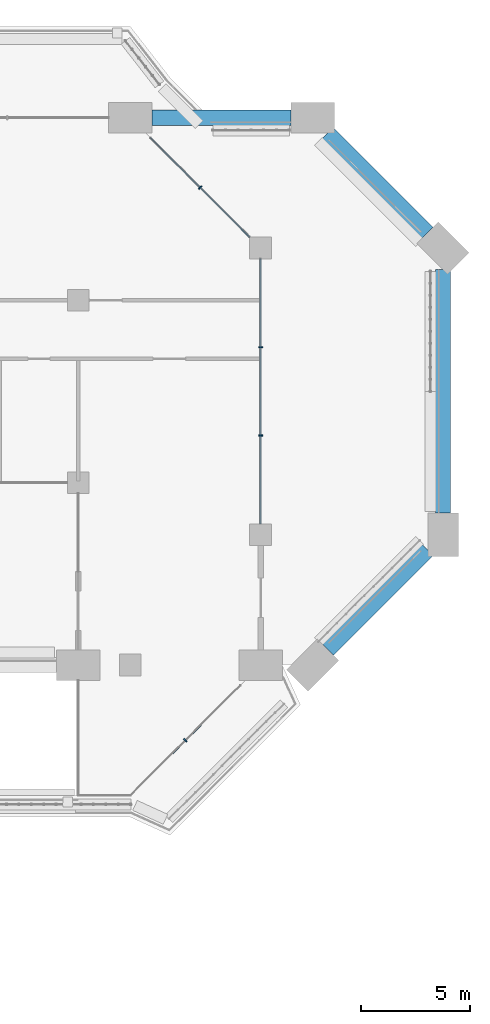
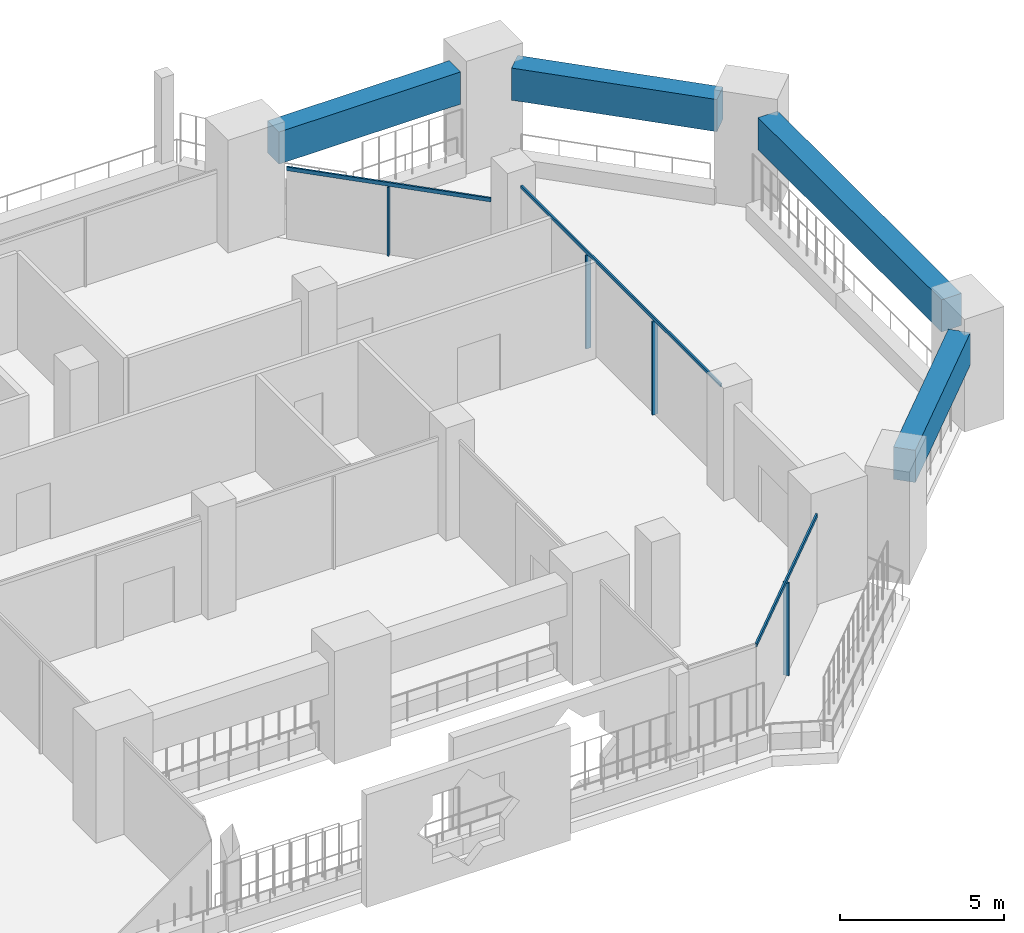
# One storey, part 8 of 23: 7 members, 4 beams, 3 elements without a shape of their own.
"""IFC4 building model written with IfcOpenShell, lengths in metres."""

import ifcopenshell
import ifcopenshell.guid

model = None  # the IFC model being written
_history = None  # IfcOwnerHistory: only IFC2X3 demands one
_inside = {}  # id of a spatial element -> (the spatial element, [elements in it])
_under = {}  # id of a project, library or spatial element -> (it, [spatial elements below it])
_declared = {}  # id of a project -> (the project, [libraries it declares])
_typed = {}  # id of a type object -> (the type object, [elements of that type])
_made_of = {}  # id of a material, layer set ... -> (it, [elements and type objects made of it])


def new_model(schema):
    """Start an empty IFC model of exactly this schema.

    Asked for "IFC4X3", IfcOpenShell would pick the latest addendum, in which some entities
    have other attributes; the version numbers below select the first issue.
    IFC2X3 requires an IfcOwnerHistory on every rooted entity: one is made here for all.
    """
    global model, _history
    if schema == "IFC4X3":
        model = ifcopenshell.file(schema_version=(4, 3, 0, 0))
    else:
        model = ifcopenshell.file(schema=schema)
    _inside.clear()
    _under.clear()
    _declared.clear()
    _typed.clear()
    _made_of.clear()
    _history = None
    if model.schema == "IFC2X3":
        org = make("IfcOrganization", Name="unknown")
        user = make(
            "IfcPersonAndOrganization",
            ThePerson=make("IfcPerson", FamilyName="unknown"),
            TheOrganization=org,
        )
        app = make(
            "IfcApplication",
            ApplicationDeveloper=org,
            Version="unknown",
            ApplicationFullName="unknown",
            ApplicationIdentifier="unknown",
        )
        _history = make(
            "IfcOwnerHistory",
            OwningUser=user,
            OwningApplication=app,
            ChangeAction="ADDED",
            CreationDate=0,
        )
    return model


def make(cls, **values):
    """One entity of the class cls with the attributes given. An attribute that is None is left unset."""
    return model.create_entity(
        cls, **{name: value for name, value in values.items() if value is not None}
    )


def rooted(cls, **values):
    """An entity with a GlobalId (a new one), such as an element, a storey or a relation."""
    return make(cls, GlobalId=ifcopenshell.guid.new(), OwnerHistory=_history, **values)


def si_unit(unit_type, name, prefix=None):
    """IfcSIUnit, for example si_unit("LENGTHUNIT", "METRE", prefix="MILLI")."""
    return make("IfcSIUnit", UnitType=unit_type, Prefix=prefix, Name=name)


def assignment(units):
    """IfcUnitAssignment: the units of a project."""
    return None if units is None else make("IfcUnitAssignment", Units=units)


def point(xyz):
    """IfcCartesianPoint."""
    return None if xyz is None else make("IfcCartesianPoint", Coordinates=xyz)


def direction(xyz):
    """IfcDirection."""
    return None if xyz is None else make("IfcDirection", DirectionRatios=xyz)


def frame(location, z_axis=None, x_axis=None):
    """IfcAxis2Placement3D, a coordinate frame: its origin and axes. An axis left out is left unset."""
    return make(
        "IfcAxis2Placement3D",
        Location=point(location),
        Axis=direction(z_axis),
        RefDirection=direction(x_axis),
    )


def frame_2d(location, x_axis=None):
    """IfcAxis2Placement2D, a coordinate frame in the plane: its origin and x axis."""
    return make(
        "IfcAxis2Placement2D", Location=point(location), RefDirection=direction(x_axis)
    )


def origin():
    """The frame at (0, 0, 0) with its axes left unset."""
    return frame((0.0, 0.0, 0.0))


def origin_2d():
    """The frame at (0, 0) in the plane with its x axis left unset."""
    return frame_2d((0.0, 0.0))


def place(relative_to, where):
    """IfcLocalPlacement: puts the frame where relative to a parent placement (None: the world)."""
    return make(
        "IfcLocalPlacement", PlacementRelTo=relative_to, RelativePlacement=where
    )


def context(
    kind, dimensions, precision=None, world=None, true_north=None, identifier=None
):
    """IfcGeometricRepresentationContext, for example the 3D "Model" context."""
    return make(
        "IfcGeometricRepresentationContext",
        ContextIdentifier=identifier,
        ContextType=kind,
        CoordinateSpaceDimension=dimensions,
        Precision=precision,
        WorldCoordinateSystem=world,
        TrueNorth=true_north,
    )


def subcontext(parent, identifier, kind, view, scale=None):
    """IfcGeometricRepresentationSubContext, for example "Body" below "Model"."""
    return make(
        "IfcGeometricRepresentationSubContext",
        ContextIdentifier=identifier,
        ContextType=kind,
        ParentContext=parent,
        TargetScale=scale,
        TargetView=view,
    )


def project(units=None, contexts=None):
    """IfcProject with its units and contexts."""
    return rooted(
        "IfcProject",
        Name="project",
        RepresentationContexts=contexts,
        UnitsInContext=assignment(units),
    )


def spatial(cls, under=None, at=None, **own):
    """A site, building, storey or space (cls), placed at a placement, below another one or the project."""
    s = rooted(cls, ObjectPlacement=at, **own)
    if under is not None:
        _under.setdefault(under.id(), (under, []))[1].append(s)
    return s


def profile(cls, at=None, kind="AREA", **sizes):
    """A parametric profile (cls). Its sizes go by their IFC names, for example OverallWidth=200.0."""
    return make(cls, ProfileType=kind, Position=at, **sizes)


def rectangle(**sizes):
    """IfcRectangleProfileDef."""
    return profile("IfcRectangleProfileDef", **sizes)


def extrude(swept, where, along, depth):
    """IfcExtrudedAreaSolid: the profile swept, set in the frame where, extruded along a direction by depth."""
    return make(
        "IfcExtrudedAreaSolid",
        SweptArea=swept,
        Position=where,
        ExtrudedDirection=direction(along),
        Depth=depth,
    )


def shape(context_of_items, identifier, shape_type, items):
    """IfcShapeRepresentation: the items that make up one representation, for example the "Body"."""
    return make(
        "IfcShapeRepresentation",
        ContextOfItems=context_of_items,
        RepresentationIdentifier=identifier,
        RepresentationType=shape_type,
        Items=items,
    )


def material(Name=None, Category=None):
    """IfcMaterial."""
    return make("IfcMaterial", Name=Name, Category=Category)


def layer(
    of_material, thickness, ventilated=None, Name=None, Category=None, Priority=None
):
    """IfcMaterialLayer: one layer of a wall or slab, of a material (None: an air gap)."""
    return make(
        "IfcMaterialLayer",
        Material=of_material,
        LayerThickness=thickness,
        IsVentilated=ventilated,
        Name=Name,
        Category=Category,
        Priority=Priority,
    )


def layer_set(layers, Name=None):
    """IfcMaterialLayerSet."""
    return make("IfcMaterialLayerSet", MaterialLayers=layers, LayerSetName=Name)


def material_profile(
    of_material, cross_section, Name=None, Category=None, Priority=None
):
    """IfcMaterialProfile: a cross section and its material."""
    return make(
        "IfcMaterialProfile",
        Name=Name,
        Material=of_material,
        Profile=cross_section,
        Priority=Priority,
        Category=Category,
    )


def profile_set(profiles, Name=None, composite=None):
    """IfcMaterialProfileSet."""
    return make(
        "IfcMaterialProfileSet",
        Name=Name,
        MaterialProfiles=profiles,
        CompositeProfile=composite,
    )


def made_of(thing, what):
    """Note that an element or type object is made of a material, layer set ...; save() writes the relation."""
    if what is not None:
        _made_of.setdefault(what.id(), (what, []))[1].append(thing)
    return thing


def type_object(cls, material=None, **own):
    """A type object (cls), such as IfcWallType, which elements share."""
    return made_of(rooted(cls, **own), material)


def element(
    cls,
    number,
    at=None,
    inside=None,
    cuts=None,
    type_object=None,
    material=None,
    context=None,
    identifier="Body",
    shape_type=None,
    held_by="IfcProductDefinitionShape",
    body=None,
    shapes=None,
    **own,
):
    """One element of the class cls, such as IfcWall. Its Tag is "e" and its number.

    at: its placement. inside: the storey or other place that contains it. cuts: it is an
    opening in that element (IfcRelVoidsElement). A single representation is given by context,
    identifier, shape_type and body (its items); several are given by shapes. held_by: the class
    of the entity that holds the representations. save() writes the other relations.
    """
    e = rooted(cls, Tag="e%d" % number, ObjectPlacement=at, **own)
    if body is not None:
        shapes = [shape(context, identifier, shape_type, body)]
    if shapes is not None:
        e.Representation = make(held_by, Representations=shapes)
    if inside is not None:
        _inside.setdefault(inside.id(), (inside, []))[1].append(e)
    if cuts is not None:
        rooted(
            "IfcRelVoidsElement", RelatingBuildingElement=cuts, RelatedOpeningElement=e
        )
    if type_object is not None:
        _typed.setdefault(type_object.id(), (type_object, []))[1].append(e)
    return made_of(e, material)


def aggregate(whole, parts):
    """IfcRelAggregates: a whole, such as a stair, and the parts it consists of."""
    return rooted("IfcRelAggregates", RelatingObject=whole, RelatedObjects=parts)


def save(model, path):
    """Write the relations noted so far, then the file.

    IfcRelAggregates (storeys below a building ...), IfcRelContainedInSpatialStructure (elements
    in a storey), IfcRelDefinesByType, IfcRelAssociatesMaterial and IfcRelDeclares: one each for
    every whole, place, type object, material and project.
    """
    for whole, parts in _under.values():
        aggregate(whole, parts)
    for where, things in _inside.values():
        rooted(
            "IfcRelContainedInSpatialStructure",
            RelatedElements=things,
            RelatingStructure=where,
        )
    for kind, things in _typed.values():
        rooted("IfcRelDefinesByType", RelatedObjects=things, RelatingType=kind)
    for what, things in _made_of.values():
        rooted("IfcRelAssociatesMaterial", RelatedObjects=things, RelatingMaterial=what)
    for by, libraries in _declared.values():
        rooted("IfcRelDeclares", RelatingContext=by, RelatedDefinitions=libraries)
    model.write(path)


model = new_model("IFC4")

# Units and contexts
model_context = context("Model", 3, precision=1e-05, world=origin(), true_north=direction((0.0, 1.0)))
body_context = subcontext(model_context, "Body", "Model", "MODEL_VIEW")
ifc_project = project(units=[si_unit("LENGTHUNIT", "METRE"), si_unit("AREAUNIT", "SQUARE_METRE"), si_unit("VOLUMEUNIT", "CUBIC_METRE"), si_unit("PLANEANGLEUNIT", "RADIAN"), si_unit("MASSUNIT", "GRAM", prefix="KILO")], contexts=[model_context])

# Site, building, storey
site_placement = place(None, origin())
site = spatial("IfcSite", under=ifc_project, at=site_placement, CompositionType="ELEMENT")
building_placement = place(site_placement, origin())
building = spatial("IfcBuilding", under=site, at=building_placement, Name="Kawkab Arch Medical Tower", CompositionType="ELEMENT")
storey_placement = place(building_placement, frame((0.0, 0.0, 158.39990234375)))
storey = spatial("IfcBuildingStorey", under=building, at=storey_placement, Name="L36", CompositionType="ELEMENT", Elevation=158.39990234375)

# Curtain wall, members
ifc_material_1 = material(Name="Bronze anodised aluminium curtain wall frame", Category="aluminium")
ifc_layer_1 = layer(ifc_material_1, 0.159912109375)
ifc_layer_set_1 = layer_set([ifc_layer_1], Name="Bronze anodised aluminium curtain wall frame")
curtain_wall_type_1 = type_object("IfcCurtainWallType", Name="CW1 ward curtain wall", PredefinedType="NOTDEFINED", material=ifc_layer_set_1)
placement = place(storey_placement, origin())
curtain_wall_1 = element("IfcCurtainWall", 1, at=placement, inside=storey, type_object=curtain_wall_type_1, Name="CW1 Ward curtain wall R07", PredefinedType="NOTDEFINED")
ifc_material_2 = material(Name="Bronze anodised aluminium curtain wall frame", Category="aluminium")
ifc_material_profile_1 = material_profile(ifc_material_2, rectangle(XDim=0.179931640625, YDim=0.06005859375, at=origin_2d()), Name="AL 60x180")
ifc_profile_set_1 = profile_set([ifc_material_profile_1], Name="Bronze anodised aluminium curtain wall frame")
member_type_1 = type_object("IfcMemberType", Name="CW1 mullion 60 x 180", PredefinedType="MULLION", material=ifc_profile_set_1)
member_1_placement = place(storey_placement, frame((67.199951171875, -14.63330078125, 0.0), z_axis=(0.0, 0.0, 1.0), x_axis=(-1.0, 0.0, 0.0)))
member_1 = element("IfcMember", 2, at=member_1_placement, type_object=member_type_1, Name="CW1 mullion 2.1", PredefinedType="MULLION", context=body_context, shape_type="SweptSolid", body=[
    extrude(rectangle(XDim=0.179931640625, YDim=0.06005859375, at=origin_2d()), origin(), (0.0, 0.0, 1.0), 3.47998046875),
])
member_2_placement = place(storey_placement, frame((67.199951171875, -10.566650390625, 0.0), z_axis=(0.0, 0.0, 1.0), x_axis=(-1.0, 0.0, 0.0)))
member_2 = element("IfcMember", 3, at=member_2_placement, type_object=member_type_1, Name="CW1 mullion 2.2", PredefinedType="MULLION", context=body_context, shape_type="SweptSolid", body=[
    extrude(rectangle(XDim=0.179931640625, YDim=0.06005859375, at=origin_2d()), origin(), (0.0, 0.0, 1.0), 3.47998046875),
])
ifc_material_3 = material(Name="Bronze anodised aluminium curtain wall frame", Category="aluminium")
ifc_material_profile_2 = material_profile(ifc_material_3, rectangle(XDim=0.06005859375, YDim=0.1201171875, at=origin_2d()), Name="AL 60x120")
ifc_profile_set_2 = profile_set([ifc_material_profile_2], Name="Bronze anodised aluminium curtain wall frame")
member_type_2 = type_object("IfcMemberType", Name="CW1 transom 120 x 60", PredefinedType="USERDEFINED", material=ifc_profile_set_2)
member_3_placement = place(storey_placement, frame((67.199951171875, -18.699951171875, 3.5400390625), z_axis=(0.0, 1.0, 0.0), x_axis=(-1.0, 0.0, 0.0)))
member_3 = element("IfcMember", 4, at=member_3_placement, type_object=member_type_2, Name="CW1 transom 2", ObjectType="TRANSOM", PredefinedType="USERDEFINED", context=body_context, shape_type="SweptSolid", body=[
    extrude(rectangle(XDim=0.06005859375, YDim=0.1201171875, at=origin_2d()), origin(), (0.0, 0.0, 1.0), 12.199951171875),
])
aggregate(curtain_wall_1, [member_3, member_1, member_2])

# Curtain wall, member
ifc_material_4 = material(Name="Bronze anodised aluminium curtain wall frame", Category="aluminium")
ifc_layer_2 = layer(ifc_material_4, 0.159912109375)
ifc_layer_set_2 = layer_set([ifc_layer_2], Name="Bronze anodised aluminium curtain wall frame")
curtain_wall_type_2 = type_object("IfcCurtainWallType", Name="CW2 chamfer curtain wall", PredefinedType="NOTDEFINED", material=ifc_layer_set_2)
curtain_wall_2 = element("IfcCurtainWall", 5, at=placement, inside=storey, type_object=curtain_wall_type_2, Name="CW2 Chamfer curtain wall R06", PredefinedType="NOTDEFINED")
ifc_material_5 = material(Name="Bronze anodised aluminium curtain wall frame", Category="aluminium")
ifc_material_profile_3 = material_profile(ifc_material_5, rectangle(XDim=0.199951171875, YDim=0.06005859375, at=origin_2d()), Name="AL 60x200")
ifc_profile_set_3 = profile_set([ifc_material_profile_3], Name="Bronze anodised aluminium curtain wall frame")
member_type_3 = type_object("IfcMemberType", Name="CW2 mullion 60 x 200", PredefinedType="MULLION", material=ifc_profile_set_3)
member_4_placement = place(storey_placement, frame((63.73486328125, -28.665283203125, 0.0), z_axis=(0.0, 0.0, 1.0), x_axis=(-0.707106781187, 0.707106781187, 0.0)))
member_4 = element("IfcMember", 6, at=member_4_placement, type_object=member_type_3, Name="CW2 mullion 1.1", PredefinedType="MULLION", context=body_context, shape_type="SweptSolid", body=[
    extrude(rectangle(XDim=0.199951171875, YDim=0.06005859375, at=origin_2d()), origin(), (0.0, 0.0, 1.0), 3.460205078125),
])

curtain_wall_3 = element("IfcCurtainWall", 7, at=placement, inside=storey, type_object=curtain_wall_type_2, Name="CW2 Chamfer curtain wall R08", PredefinedType="NOTDEFINED")
member_5_placement = place(storey_placement, frame((64.415283203125, -3.215087890625, 0.0), z_axis=(0.0, 0.0, 1.0), x_axis=(-0.707106781187, -0.707106781187, 0.0)))
member_5 = element("IfcMember", 8, at=member_5_placement, type_object=member_type_3, Name="CW2 mullion 1.1", PredefinedType="MULLION", context=body_context, shape_type="SweptSolid", body=[
    extrude(rectangle(XDim=0.199951171875, YDim=0.06005859375, at=origin_2d()), origin(), (0.0, 0.0, 1.0), 2.56005859375),
])

# Member
ifc_material_6 = material(Name="Bronze anodised aluminium curtain wall frame", Category="aluminium")
ifc_material_profile_4 = material_profile(ifc_material_6, rectangle(XDim=0.06005859375, YDim=0.139892578125, at=origin_2d()), Name="AL 60x140")
ifc_profile_set_4 = profile_set([ifc_material_profile_4], Name="Bronze anodised aluminium curtain wall frame")
member_type_4 = type_object("IfcMemberType", Name="CW2 transom 140 x 60", PredefinedType="USERDEFINED", material=ifc_profile_set_4)
member_6_placement = place(storey_placement, frame((61.199951171875, -31.199951171875, 3.530029296875), z_axis=(0.707123806981, 0.707089754982, 0.0), x_axis=(-0.707089754982, 0.707123806981, 0.0)))
member_6 = element("IfcMember", 9, at=member_6_placement, type_object=member_type_4, Name="CW2 transom 1", ObjectType="TRANSOM", PredefinedType="USERDEFINED", context=body_context, shape_type="SweptSolid", body=[
    extrude(rectangle(XDim=0.06005859375, YDim=0.139892578125, at=origin_2d()), origin(), (0.0, 0.0, 1.0), 7.169677734375),
])

aggregate(curtain_wall_2, [member_6, member_4])

member_7_placement = place(storey_placement, frame((66.699951171875, -5.5, 2.630126953125), z_axis=(-0.707106781187, 0.707106781187, 0.0), x_axis=(-0.707106781187, -0.707106781187, 0.0)))
member_7 = element("IfcMember", 10, at=member_7_placement, type_object=member_type_4, Name="CW2 transom 1", ObjectType="TRANSOM", PredefinedType="USERDEFINED", context=body_context, shape_type="SweptSolid", body=[
    extrude(rectangle(XDim=0.06005859375, YDim=0.139892578125, at=origin_2d()), origin(), (0.0, 0.0, 1.0), 6.46240234375),
])

aggregate(curtain_wall_3, [member_7, member_5])

# Beams
ifc_material_7 = material(Name="Concrete C50/60", Category="concrete")
ifc_material_profile_5 = material_profile(ifc_material_7, rectangle(XDim=0.699951171875, YDim=1.199951171875, at=origin_2d()), Name="RC 700x1200")
ifc_profile_set_5 = profile_set([ifc_material_profile_5], Name="Concrete C50/60")
beam_type = type_object("IfcBeamType", Name="RC 700x1200 beam C50/60", PredefinedType="BEAM", material=ifc_profile_set_5)
beam_1_placement = place(storey_placement, frame((62.199951171875, 0.0, 3.0), z_axis=(1.0, 0.0, 0.0), x_axis=(0.0, 1.0, 0.0)))
element("IfcBeam", 11, at=beam_1_placement, inside=storey, type_object=beam_type, Name="Terrace frame beam TF-L36-1-L37-01", PredefinedType="BEAM", context=body_context, shape_type="SweptSolid", body=[
    extrude(rectangle(XDim=0.699951171875, YDim=1.199951171875, at=origin_2d()), origin(), (0.0, 0.0, 1.0), 6.400146484375),
])
beam_2_placement = place(storey_placement, frame((70.300048828125, -0.699951171875, 3.0), z_axis=(0.707087987401, -0.707125574473, 0.0), x_axis=(0.707125574473, 0.707087987401, 0.0)))
element("IfcBeam", 12, at=beam_2_placement, inside=storey, type_object=beam_type, Name="Terrace frame beam TF-L36-1-L37-02", PredefinedType="BEAM", context=body_context, shape_type="SweptSolid", body=[
    extrude(rectangle(XDim=0.699951171875, YDim=1.199951171875, at=origin_2d()), origin(), (0.0, 0.0, 1.0), 6.495361328125),
])
beam_3_placement = place(storey_placement, frame((75.60009765625, -6.989990234375, 3.0), z_axis=(0.0, -1.0, 0.0), x_axis=(1.0, 0.0, 0.0)))
element("IfcBeam", 13, at=beam_3_placement, inside=storey, type_object=beam_type, Name="Terrace frame beam TF-L36-1-L37-03", PredefinedType="BEAM", context=body_context, shape_type="SweptSolid", body=[
    extrude(rectangle(XDim=0.699951171875, YDim=1.199951171875, at=origin_2d()), origin(), (0.0, 0.0, 1.0), 11.2099609375),
])
beam_4_placement = place(storey_placement, frame((74.89990234375, -19.89990234375, 3.0), z_axis=(-0.707087987401, -0.707125574473, 0.0), x_axis=(0.707125574473, -0.707087987401, 0.0)))
element("IfcBeam", 14, at=beam_4_placement, inside=storey, type_object=beam_type, Name="Terrace frame beam TF-L36-1-L37-04", PredefinedType="BEAM", context=body_context, shape_type="SweptSolid", body=[
    extrude(rectangle(XDim=0.699951171875, YDim=1.199951171875, at=origin_2d()), origin(), (0.0, 0.0, 1.0), 6.495361328125),
])

save(model, "model.ifc")
